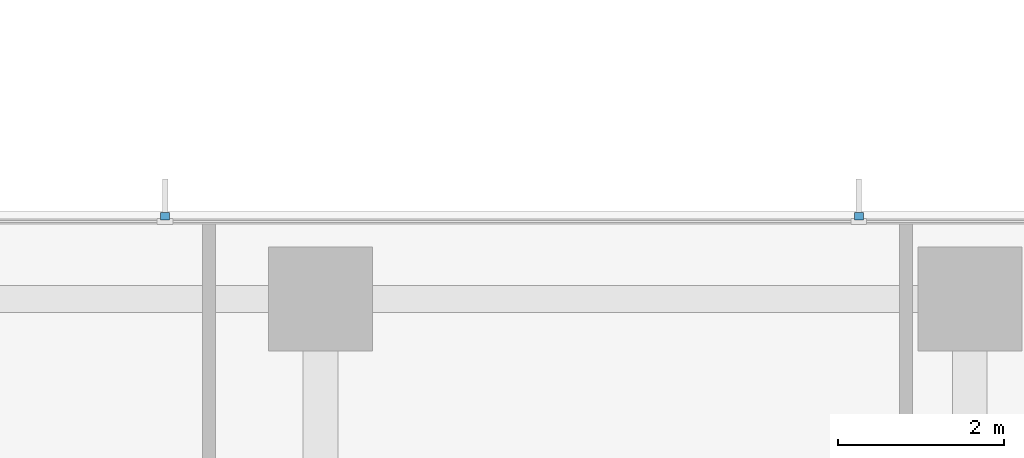
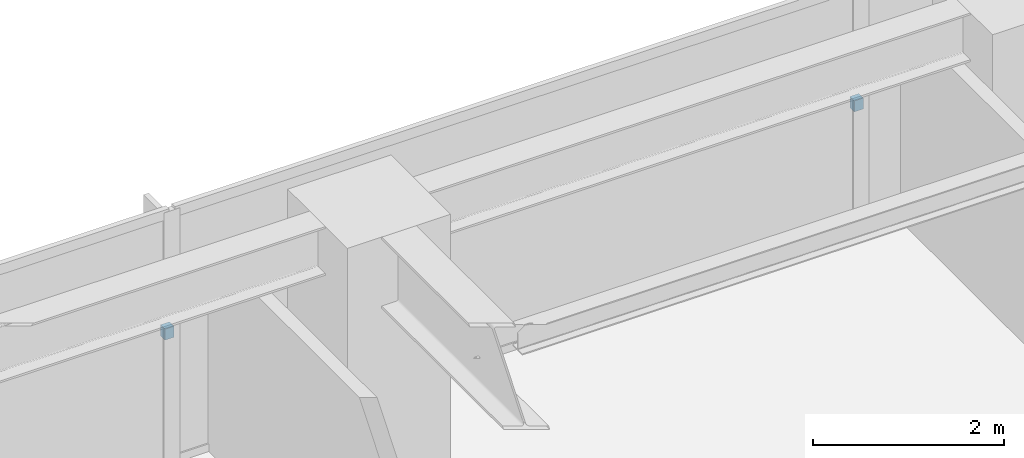
# One storey, part 15 of 17: 2 discrete accessories.
"""IFC4 building model written with IfcOpenShell, lengths in metres."""

from ifc_helpers import new_model, si_unit, direction, frame, origin, place, context, subcontext, project, spatial, polyline, outline, extrude, material, type_object, element, save


model = new_model("IFC4")

# Units and contexts
model_context = context("Model", 3, precision=1e-05, world=origin(), true_north=direction((0.0, 1.0)))
body_context = subcontext(model_context, "Body", "Model", "MODEL_VIEW")
ifc_project = project(units=[si_unit("LENGTHUNIT", "METRE"), si_unit("AREAUNIT", "SQUARE_METRE"), si_unit("VOLUMEUNIT", "CUBIC_METRE"), si_unit("PLANEANGLEUNIT", "RADIAN"), si_unit("MASSUNIT", "GRAM", prefix="KILO")], contexts=[model_context])

# Site, building, storey
site_placement = place(None, origin())
site = spatial("IfcSite", under=ifc_project, at=site_placement, CompositionType="ELEMENT")
building_placement = place(site_placement, origin())
building = spatial("IfcBuilding", under=site, at=building_placement, Name="Qalmaran Belvedere Hotel", CompositionType="ELEMENT")
storey_placement = place(building_placement, frame((0.0, 0.0, 91.699951171875)))
storey = spatial("IfcBuildingStorey", under=building, at=storey_placement, Name="L22", CompositionType="ELEMENT", Elevation=91.699951171875)

# Discrete accessories
ifc_material = material(Name="Stainless Steel 1.4401", Category="steel")
discrete_accessory_type = type_object("IfcDiscreteAccessoryType", Name="BRK-FIN-SS316", PredefinedType="BRACKET", material=ifc_material)
discrete_accessory_1_placement = place(storey_placement, frame((0.0, 0.0, 1.570068359375)))
element("IfcDiscreteAccessory", 1, at=discrete_accessory_1_placement, inside=storey, type_object=discrete_accessory_type, Name="L22 Fin Bracket 1", PredefinedType="BRACKET", context=body_context, shape_type="SweptSolid", body=[
    extrude(outline(polyline([(43.521728515625, 46.39501953125), (43.521728515625, 46.489990234375), (43.41162109375, 46.489990234375), (43.41162109375, 46.39501953125), (43.521728515625, 46.39501953125)])), origin(), (0.0, 0.0, 1.0), 0.139892578125),
])
discrete_accessory_2_placement = place(storey_placement, frame((0.0, 0.0, 1.570068359375)))
element("IfcDiscreteAccessory", 2, at=discrete_accessory_2_placement, inside=storey, type_object=discrete_accessory_type, Name="L22 Fin Bracket 2", PredefinedType="BRACKET", context=body_context, shape_type="SweptSolid", body=[
    extrude(outline(polyline([(35.188232421875, 46.39501953125), (35.188232421875, 46.489990234375), (35.078369140625, 46.489990234375), (35.078369140625, 46.39501953125), (35.188232421875, 46.39501953125)])), origin(), (0.0, 0.0, 1.0), 0.139892578125),
])

save(model, "model.ifc")
